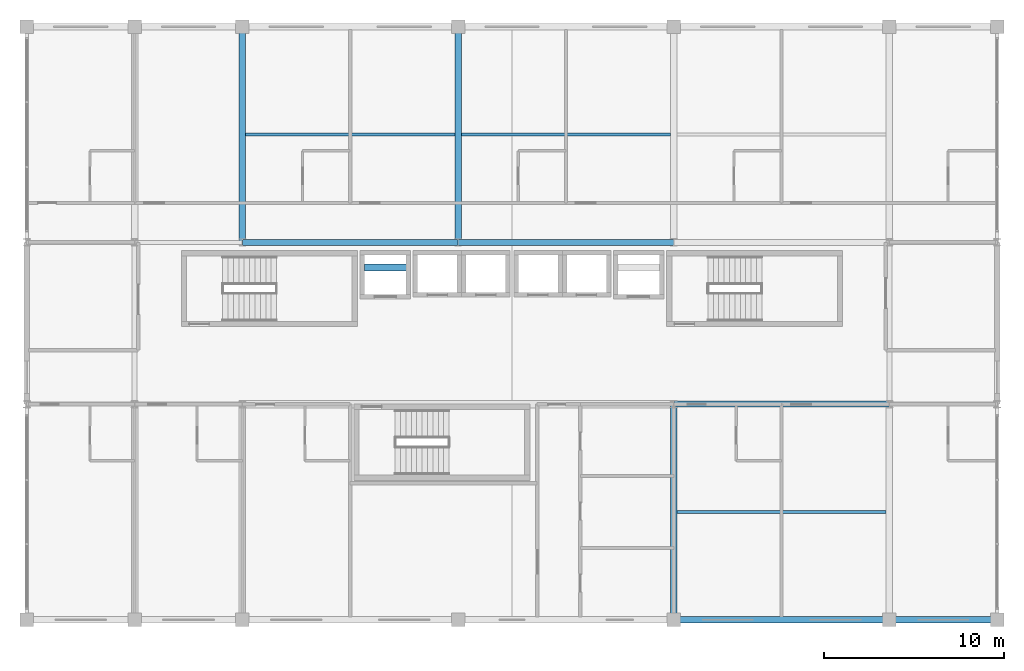
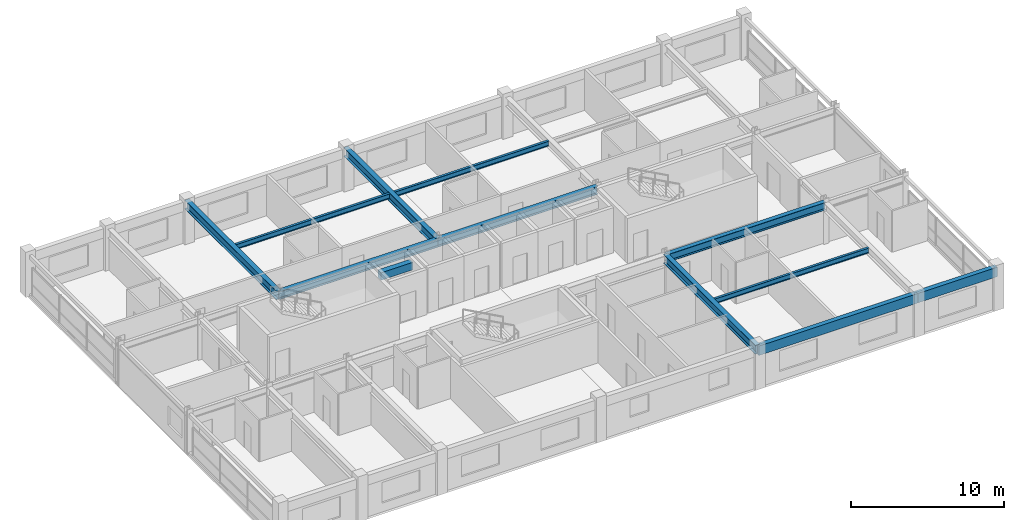
# One storey, part 8 of 20: 12 beams.
"""IFC4 building model written with IfcOpenShell, lengths in metres."""

from ifc_helpers import new_model, si_unit, direction, frame, origin, origin_2d, place, context, subcontext, project, spatial, rectangle, i_section, extrude, material, material_profile, profile_set, type_object, element, save


model = new_model("IFC4")

# Units and contexts
model_context = context("Model", 3, precision=1e-05, world=origin(), true_north=direction((0.0, 1.0)))
body_context = subcontext(model_context, "Body", "Model", "MODEL_VIEW")
ifc_project = project(units=[si_unit("LENGTHUNIT", "METRE"), si_unit("AREAUNIT", "SQUARE_METRE"), si_unit("VOLUMEUNIT", "CUBIC_METRE"), si_unit("PLANEANGLEUNIT", "RADIAN"), si_unit("MASSUNIT", "GRAM", prefix="KILO")], contexts=[model_context])

# Site, building, storey
site_placement = place(None, origin())
site = spatial("IfcSite", under=ifc_project, at=site_placement, CompositionType="ELEMENT")
building_placement = place(site_placement, origin())
building = spatial("IfcBuilding", under=site, at=building_placement, Name="Kaldorvane Square Convention Centre", CompositionType="ELEMENT")
storey_placement = place(building_placement, frame((0.0, 0.0, 52.80000305175781)))
storey = spatial("IfcBuildingStorey", under=building, at=storey_placement, Name="L12", CompositionType="ELEMENT", Elevation=52.80000305175781)

# Beams
ifc_material_1 = material(Name="Steel ASTM A992 Gr. 50", Category="steel")
ifc_material_profile_1 = material_profile(ifc_material_1, i_section(OverallWidth=0.326507568359375, OverallDepth=0.621795654296875, WebThickness=0.0153961181640625, FlangeThickness=0.0243988037109375, FilletRadius=0.0126953125, at=origin_2d()), Name="W24X131")
ifc_profile_set_1 = profile_set([ifc_material_profile_1], Name="Steel ASTM A992 Gr. 50")
beam_type_1 = type_object("IfcBeamType", Name="BM-GR-W24X131", PredefinedType="BEAM", material=ifc_profile_set_1)
for number, where, z_axis, x_axis, name in (
    (1, (66.0, 96.0, 2.97509765625), (1.0, 0.0, 0.0), (0.0, 1.0, 0.0), "Primary Girder (L12)"),
    (2, (42.0, 105.0, 2.97509765625), (1.0, 0.0, 0.0), (0.0, 1.0, 0.0), "Primary Girder (L12)"),
    (3, (54.0, 105.0, 2.97509765625), (1.0, 0.0, 0.0), (0.0, 1.0, 0.0), "Primary Girder (L12)"),
):
    element("IfcBeam", number, at=place(storey_placement, frame(where, z_axis=z_axis, x_axis=x_axis)), inside=storey, type_object=beam_type_1, Name=name, PredefinedType="BEAM", context=body_context, shape_type="SweptSolid", body=[
        extrude(i_section(OverallWidth=0.326507568359375, OverallDepth=0.621795654296875, WebThickness=0.0153961181640625, FlangeThickness=0.0243988037109375, FilletRadius=0.0126953125, at=origin_2d()), origin(), (0.0, 0.0, 1.0), 12.0),
    ])
ifc_material_profile_2 = material_profile(ifc_material_1, i_section(OverallWidth=0.354705810546875, OverallDepth=0.69549560546875, WebThickness=0.0153961181640625, FlangeThickness=0.0251007080078125, FilletRadius=0.01519775390625, at=origin_2d()), Name="W27X146")
ifc_profile_set_2 = profile_set([ifc_material_profile_2], Name="Steel ASTM A992 Gr. 50")
beam_type_2 = type_object("IfcBeamType", Name="BM-GR-W27X146", PredefinedType="BEAM", material=ifc_profile_set_2)
for number, where, z_axis, x_axis, name in (
    (4, (42.0, 105.0, 2.93829345703125), (0.0, 1.0, 0.0), (-1.0, 0.0, 0.0), "Transverse Girder (L12)"),
    (5, (54.0, 105.0, 2.93829345703125), (0.0, 1.0, 0.0), (-1.0, 0.0, 0.0), "Transverse Girder (L12)"),
    (6, (66.0, 84.0, 2.93829345703125), (0.0, 1.0, 0.0), (-1.0, 0.0, 0.0), "Transverse Girder (L12)"),
):
    element("IfcBeam", number, at=place(storey_placement, frame(where, z_axis=z_axis, x_axis=x_axis)), inside=storey, type_object=beam_type_2, Name=name, PredefinedType="BEAM", context=body_context, shape_type="SweptSolid", body=[
        extrude(i_section(OverallWidth=0.354705810546875, OverallDepth=0.69549560546875, WebThickness=0.0153961181640625, FlangeThickness=0.0251007080078125, FilletRadius=0.01519775390625, at=origin_2d()), origin(), (0.0, 0.0, 1.0), 12.0),
    ])
ifc_material_profile_3 = material_profile(ifc_material_1, i_section(OverallWidth=0.177398681640625, OverallDepth=0.403106689453125, WebThickness=0.00750732421875, FlangeThickness=0.010894775390625, FilletRadius=0.01019287109375, at=origin_2d()), Name="W16X36")
ifc_profile_set_3 = profile_set([ifc_material_profile_3], Name="Steel ASTM A992 Gr. 50")
beam_type_3 = type_object("IfcBeamType", Name="BM-JS-W16X36", PredefinedType="JOIST", material=ifc_profile_set_3)
beam_1_placement = place(storey_placement, frame((66.17739868164062, 90.0, 3.084503173828125), z_axis=(1.0, 0.0, 0.0), x_axis=(0.0, 1.0, 0.0)))
element("IfcBeam", 7, at=beam_1_placement, inside=storey, type_object=beam_type_3, Name="Secondary Floor Joist (L12)", PredefinedType="JOIST", context=body_context, shape_type="SweptSolid", body=[
    extrude(i_section(OverallWidth=0.177398681640625, OverallDepth=0.403106689453125, WebThickness=0.00750732421875, FlangeThickness=0.010894775390625, FilletRadius=0.01019287109375, at=origin_2d()), origin(), (0.0, 0.0, 1.0), 11.64520263671875),
])
beam_2_placement = place(storey_placement, frame((42.17730712890625, 111.0, 3.084503173828125), z_axis=(1.0, 0.0, 0.0), x_axis=(0.0, 1.0, 0.0)))
element("IfcBeam", 8, at=beam_2_placement, inside=storey, type_object=beam_type_3, Name="Secondary Floor Joist (L12)", PredefinedType="JOIST", context=body_context, shape_type="SweptSolid", body=[
    extrude(i_section(OverallWidth=0.177398681640625, OverallDepth=0.403106689453125, WebThickness=0.00750732421875, FlangeThickness=0.010894775390625, FilletRadius=0.01019287109375, at=origin_2d()), origin(), (0.0, 0.0, 1.0), 11.6453857421875),
])
beam_3_placement = place(storey_placement, frame((54.17730712890625, 111.0, 3.084503173828125), z_axis=(1.0, 0.0, 0.0), x_axis=(0.0, 1.0, 0.0)))
element("IfcBeam", 9, at=beam_3_placement, inside=storey, type_object=beam_type_3, Name="Secondary Floor Joist (L12)", PredefinedType="JOIST", context=body_context, shape_type="SweptSolid", body=[
    extrude(i_section(OverallWidth=0.177398681640625, OverallDepth=0.403106689453125, WebThickness=0.00750732421875, FlangeThickness=0.010894775390625, FilletRadius=0.01019287109375, at=origin_2d()), origin(), (0.0, 0.0, 1.0), 11.645294189453125),
])
ifc_material_2 = material(Name="Concrete f'c = 42 MPa (Normalweight)", Category="concrete")
ifc_material_profile_4 = material_profile(ifc_material_2, rectangle(XDim=0.399993896484375, YDim=0.600006103515625, at=origin_2d()), Name="RCLN600X400")
ifc_profile_set_4 = profile_set([ifc_material_profile_4], Name="Concrete f'c = 42 MPa (Normalweight)")
beam_type_4 = type_object("IfcBeamType", Name="BM-LN-RC600", PredefinedType="LINTEL", material=ifc_profile_set_4)
beam_4_placement = place(storey_placement, frame((48.80000305175781, 103.60000610351562, 2.9879913330078125), z_axis=(1.0, 0.0, 0.0), x_axis=(0.0, 1.0, 0.0)))
element("IfcBeam", 10, at=beam_4_placement, inside=storey, type_object=beam_type_4, Name="Core Coupling Lintel W (L12)", PredefinedType="LINTEL", context=body_context, shape_type="SweptSolid", body=[
    extrude(rectangle(XDim=0.399993896484375, YDim=0.600006103515625, at=origin_2d()), origin(), (0.0, 0.0, 1.0), 2.399993896484375),
])
ifc_material_profile_5 = material_profile(ifc_material_2, rectangle(XDim=0.350006103515625, YDim=0.75, at=origin_2d()), Name="RCSP750X350")
ifc_profile_set_5 = profile_set([ifc_material_profile_5], Name="Concrete f'c = 42 MPa (Normalweight)")
beam_type_5 = type_object("IfcBeamType", Name="BM-SP-RC750", PredefinedType="SPANDREL", material=ifc_profile_set_5)
beam_5_placement = place(storey_placement, frame((66.0, 84.0, 2.9109954833984375), z_axis=(1.0, 0.0, 0.0), x_axis=(0.0, 1.0, 0.0)))
element("IfcBeam", 11, at=beam_5_placement, inside=storey, type_object=beam_type_5, Name="Perimeter Spandrel (L12)", PredefinedType="SPANDREL", context=body_context, shape_type="SweptSolid", body=[
    extrude(rectangle(XDim=0.350006103515625, YDim=0.75, at=origin_2d()), origin(), (0.0, 0.0, 1.0), 12.0),
])
beam_6_placement = place(storey_placement, frame((78.0, 84.0, 2.9109954833984375), z_axis=(1.0, 0.0, 0.0), x_axis=(0.0, 1.0, 0.0)))
element("IfcBeam", 12, at=beam_6_placement, inside=storey, type_object=beam_type_5, Name="Perimeter Spandrel (L12)", PredefinedType="SPANDREL", context=body_context, shape_type="SweptSolid", body=[
    extrude(rectangle(XDim=0.350006103515625, YDim=0.75, at=origin_2d()), origin(), (0.0, 0.0, 1.0), 6.0),
])

save(model, "model.ifc")
